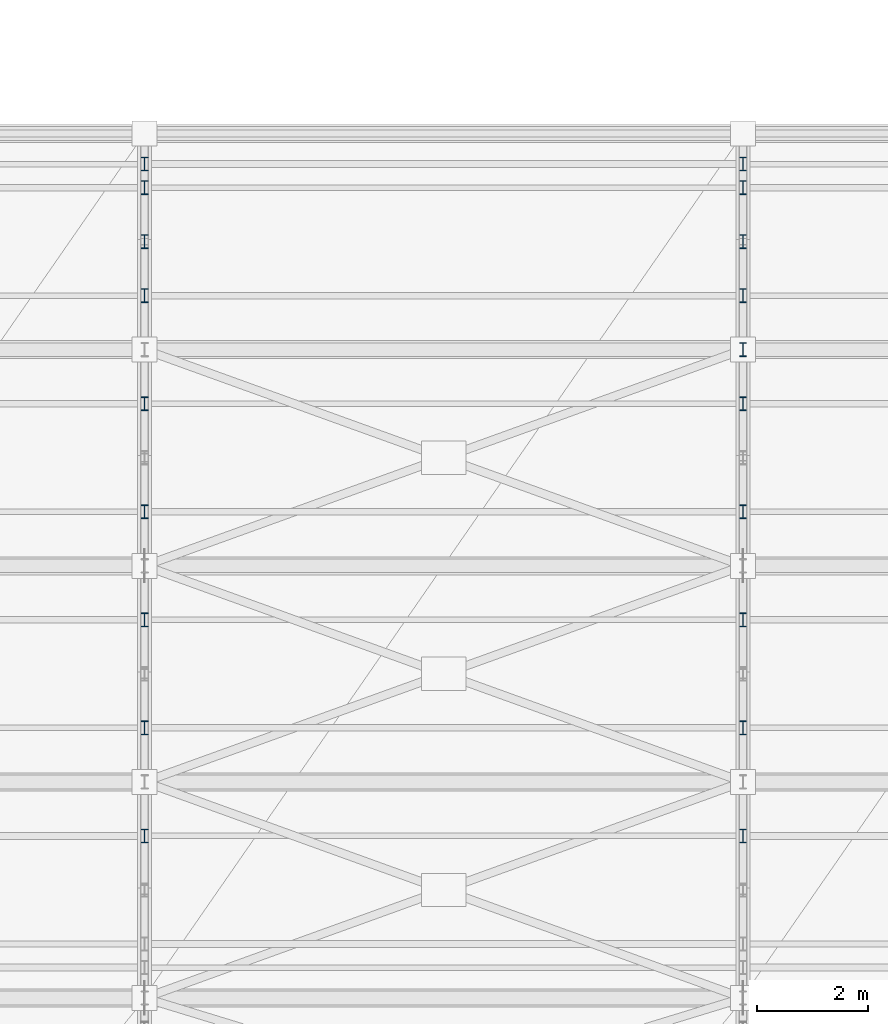
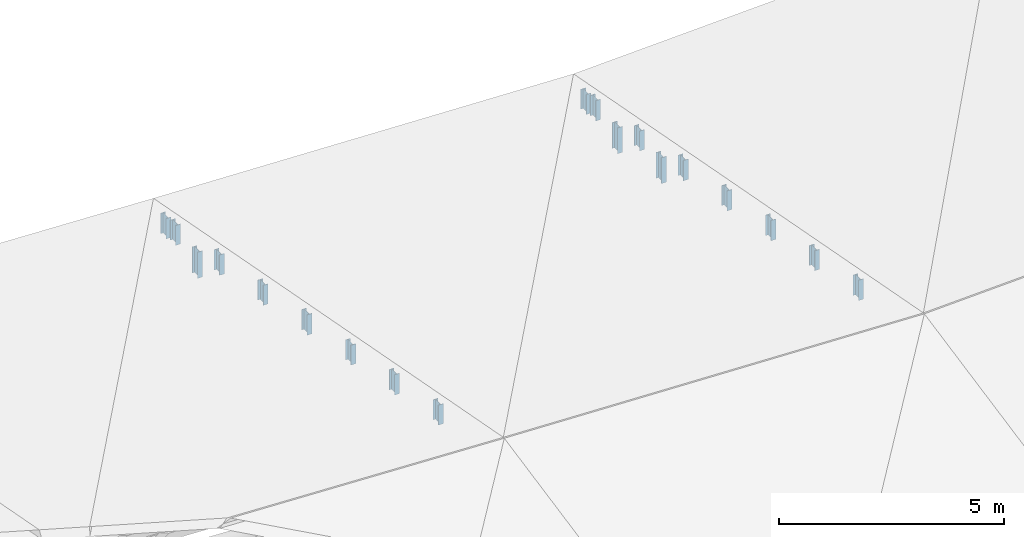
# One storey, part 50 of 89: 19 members.
"""IFC4 building model written with IfcOpenShell, lengths in metres."""

from ifc_helpers import new_model, si_unit, direction, frame, origin, origin_2d, place, context, subcontext, project, spatial, i_section, extrude, material, material_profile, profile_set, type_object, element, save


model = new_model("IFC4")

# Units and contexts
model_context = context("Model", 3, precision=1e-05, world=origin(), true_north=direction((0.0, 1.0)))
body_context = subcontext(model_context, "Body", "Model", "MODEL_VIEW")
ifc_project = project(units=[si_unit("LENGTHUNIT", "METRE"), si_unit("AREAUNIT", "SQUARE_METRE"), si_unit("VOLUMEUNIT", "CUBIC_METRE"), si_unit("PLANEANGLEUNIT", "RADIAN"), si_unit("MASSUNIT", "GRAM", prefix="KILO")], contexts=[model_context])

# Site, building, storey
site_placement = place(None, origin())
site = spatial("IfcSite", under=ifc_project, at=site_placement, CompositionType="ELEMENT")
building_placement = place(site_placement, origin())
building = spatial("IfcBuilding", under=site, at=building_placement, Name="Suirenkawa Promenade Aquatics Centre", CompositionType="ELEMENT")
storey_placement = place(building_placement, frame((0.0, 0.0, 9.60009765625)))
storey = spatial("IfcBuildingStorey", under=building, at=storey_placement, Name="L02", CompositionType="ELEMENT", Elevation=9.60009765625)

# Members
ifc_material = material(Name="Steel IS 2062 E350 (Grade 350)", Category="steel")
ifc_material_profile = material_profile(ifc_material, i_section(OverallWidth=0.125, OverallDepth=0.25, WebThickness=0.007080078125, FlangeThickness=0.012939453125, at=origin_2d()), Name="ISMB 250", Category="steel")
ifc_profile_set = profile_set([ifc_material_profile], Name="Steel IS 2062 E350 (Grade 350)")
member_type = type_object("IfcMemberType", Name="MT-WEB-CHS168", PredefinedType="BRACE", material=ifc_profile_set)
member_1_placement = place(storey_placement, frame((100.800048828125, 26.85009765625, -1.75), z_axis=(0.0, 0.0, 1.0), x_axis=(1.0, 0.0, 0.0)))
element("IfcMember", 1, at=member_1_placement, inside=storey, type_object=member_type, Name="ROOF TRUSS V3 web post TD-03 MB-1368", PredefinedType="BRACE", context=body_context, shape_type="SweptSolid", body=[
    extrude(i_section(OverallWidth=0.125, OverallDepth=0.25, WebThickness=0.007080078125, FlangeThickness=0.012939453125, at=origin_2d()), origin(), (0.0, 0.0, 1.0), 0.708984375),
])
member_2_placement = place(storey_placement, frame((111.60009765625, 24.89990234375, -1.772216796875), z_axis=(0.0, 0.0, 1.0), x_axis=(1.0, 0.0, 0.0)))
element("IfcMember", 2, at=member_2_placement, inside=storey, type_object=member_type, Name="ROOF TRUSS V3 web post TD-03 MB-1398", PredefinedType="BRACE", context=body_context, shape_type="SweptSolid", body=[
    extrude(i_section(OverallWidth=0.125, OverallDepth=0.25, WebThickness=0.007080078125, FlangeThickness=0.012939453125, at=origin_2d()), origin(), (0.0, 0.0, 1.0), 0.7001953125),
])
member_3_placement = place(storey_placement, frame((111.60009765625, 26.85009765625, -2.14111328125), z_axis=(0.0, 0.0, 1.0), x_axis=(1.0, 0.0, 0.0)))
element("IfcMember", 3, at=member_3_placement, inside=storey, type_object=member_type, Name="ROOF TRUSS V3 web post TD-03 MB-1399", PredefinedType="BRACE", context=body_context, shape_type="SweptSolid", body=[
    extrude(i_section(OverallWidth=0.125, OverallDepth=0.25, WebThickness=0.007080078125, FlangeThickness=0.012939453125, at=origin_2d()), origin(), (0.0, 0.0, 1.0), 0.699951171875),
])
member_4_placement = place(storey_placement, frame((100.800048828125, 16.125, 0.766845703125), z_axis=(0.0, 0.0, 1.0), x_axis=(1.0, 0.0, 0.0)))
element("IfcMember", 4, at=member_4_placement, inside=storey, type_object=member_type, Name="ROOF TRUSS Purlin cleat post TD-03 MB-2690", PredefinedType="BRACE", context=body_context, shape_type="SweptSolid", body=[
    extrude(i_section(OverallWidth=0.125, OverallDepth=0.25, WebThickness=0.007080078125, FlangeThickness=0.012939453125, at=origin_2d()), origin(), (0.0, 0.0, 1.0), 0.541015625),
])
member_5_placement = place(storey_placement, frame((100.800048828125, 18.074951171875, 0.39794921875), z_axis=(0.0, 0.0, 1.0), x_axis=(1.0, 0.0, 0.0)))
element("IfcMember", 5, at=member_5_placement, inside=storey, type_object=member_type, Name="ROOF TRUSS Purlin cleat post TD-03 MB-2692", PredefinedType="BRACE", context=body_context, shape_type="SweptSolid", body=[
    extrude(i_section(OverallWidth=0.125, OverallDepth=0.25, WebThickness=0.007080078125, FlangeThickness=0.012939453125, at=origin_2d()), origin(), (0.0, 0.0, 1.0), 0.552978515625),
])
member_6_placement = place(storey_placement, frame((100.800048828125, 20.02490234375, 0.02880859375), z_axis=(0.0, 0.0, 1.0), x_axis=(1.0, 0.0, 0.0)))
element("IfcMember", 6, at=member_6_placement, inside=storey, type_object=member_type, Name="ROOF TRUSS Purlin cleat post TD-03 MB-2694", PredefinedType="BRACE", context=body_context, shape_type="SweptSolid", body=[
    extrude(i_section(OverallWidth=0.125, OverallDepth=0.25, WebThickness=0.007080078125, FlangeThickness=0.012939453125, at=origin_2d()), origin(), (0.0, 0.0, 1.0), 0.5419921875),
])
member_7_placement = place(storey_placement, frame((100.800048828125, 21.97509765625, -0.339111328125), z_axis=(0.0, 0.0, 1.0), x_axis=(1.0, 0.0, 0.0)))
element("IfcMember", 7, at=member_7_placement, inside=storey, type_object=member_type, Name="ROOF TRUSS Purlin cleat post TD-03 MB-2696", PredefinedType="BRACE", context=body_context, shape_type="SweptSolid", body=[
    extrude(i_section(OverallWidth=0.125, OverallDepth=0.25, WebThickness=0.007080078125, FlangeThickness=0.012939453125, at=origin_2d()), origin(), (0.0, 0.0, 1.0), 0.552978515625),
])
member_8_placement = place(storey_placement, frame((100.800048828125, 23.925048828125, -0.7080078125), z_axis=(0.0, 0.0, 1.0), x_axis=(1.0, 0.0, 0.0)))
element("IfcMember", 8, at=member_8_placement, inside=storey, type_object=member_type, Name="ROOF TRUSS Purlin cleat post TD-03 MB-2698", PredefinedType="BRACE", context=body_context, shape_type="SweptSolid", body=[
    extrude(i_section(OverallWidth=0.125, OverallDepth=0.25, WebThickness=0.007080078125, FlangeThickness=0.012939453125, at=origin_2d()), origin(), (0.0, 0.0, 1.0), 0.541015625),
])
member_9_placement = place(storey_placement, frame((100.800048828125, 25.875, -1.0771484375), z_axis=(0.0, 0.0, 1.0), x_axis=(1.0, 0.0, 0.0)))
element("IfcMember", 9, at=member_9_placement, inside=storey, type_object=member_type, Name="ROOF TRUSS Purlin cleat post TD-03 MB-2700", PredefinedType="BRACE", context=body_context, shape_type="SweptSolid", body=[
    extrude(i_section(OverallWidth=0.125, OverallDepth=0.25, WebThickness=0.007080078125, FlangeThickness=0.012939453125, at=origin_2d()), origin(), (0.0, 0.0, 1.0), 0.552978515625),
])
member_10_placement = place(storey_placement, frame((100.800048828125, 27.824951171875, -1.446044921875), z_axis=(0.0, 0.0, 1.0), x_axis=(1.0, 0.0, 0.0)))
element("IfcMember", 10, at=member_10_placement, inside=storey, type_object=member_type, Name="ROOF TRUSS Purlin cleat post TD-03 MB-2702", PredefinedType="BRACE", context=body_context, shape_type="SweptSolid", body=[
    extrude(i_section(OverallWidth=0.125, OverallDepth=0.25, WebThickness=0.007080078125, FlangeThickness=0.012939453125, at=origin_2d()), origin(), (0.0, 0.0, 1.0), 0.5419921875),
])
for number, where, z_axis, x_axis, name in (
    (11, (100.800048828125, 28.25, -1.526123046875), (0.0, 0.0, 1.0), (1.0, 0.0, 0.0), "ROOF TRUSS Purlin cleat post TD-03 MB-2704"),
    (12, (111.60009765625, 16.125, 0.366943359375), (0.0, 0.0, 1.0), (1.0, 0.0, 0.0), "ROOF TRUSS Purlin cleat post TD-03 MB-2730"),
):
    element("IfcMember", number, at=place(storey_placement, frame(where, z_axis=z_axis, x_axis=x_axis)), inside=storey, type_object=member_type, Name=name, PredefinedType="BRACE", context=body_context, shape_type="SweptSolid", body=[
        extrude(i_section(OverallWidth=0.125, OverallDepth=0.25, WebThickness=0.007080078125, FlangeThickness=0.012939453125, at=origin_2d()), origin(), (0.0, 0.0, 1.0), 0.552978515625),
    ])
member_11_placement = place(storey_placement, frame((111.60009765625, 18.074951171875, -0.002197265625), z_axis=(0.0, 0.0, 1.0), x_axis=(1.0, 0.0, 0.0)))
element("IfcMember", 13, at=member_11_placement, inside=storey, type_object=member_type, Name="ROOF TRUSS Purlin cleat post TD-03 MB-2732", PredefinedType="BRACE", context=body_context, shape_type="SweptSolid", body=[
    extrude(i_section(OverallWidth=0.125, OverallDepth=0.25, WebThickness=0.007080078125, FlangeThickness=0.012939453125, at=origin_2d()), origin(), (0.0, 0.0, 1.0), 0.541015625),
])
member_12_placement = place(storey_placement, frame((111.60009765625, 20.02490234375, -0.37109375), z_axis=(0.0, 0.0, 1.0), x_axis=(1.0, 0.0, 0.0)))
element("IfcMember", 14, at=member_12_placement, inside=storey, type_object=member_type, Name="ROOF TRUSS Purlin cleat post TD-03 MB-2734", PredefinedType="BRACE", context=body_context, shape_type="SweptSolid", body=[
    extrude(i_section(OverallWidth=0.125, OverallDepth=0.25, WebThickness=0.007080078125, FlangeThickness=0.012939453125, at=origin_2d()), origin(), (0.0, 0.0, 1.0), 0.552978515625),
])
member_13_placement = place(storey_placement, frame((111.60009765625, 21.97509765625, -0.739013671875), z_axis=(0.0, 0.0, 1.0), x_axis=(1.0, 0.0, 0.0)))
element("IfcMember", 15, at=member_13_placement, inside=storey, type_object=member_type, Name="ROOF TRUSS Purlin cleat post TD-03 MB-2736", PredefinedType="BRACE", context=body_context, shape_type="SweptSolid", body=[
    extrude(i_section(OverallWidth=0.125, OverallDepth=0.25, WebThickness=0.007080078125, FlangeThickness=0.012939453125, at=origin_2d()), origin(), (0.0, 0.0, 1.0), 0.541015625),
])
member_14_placement = place(storey_placement, frame((111.60009765625, 23.925048828125, -1.108154296875), z_axis=(0.0, 0.0, 1.0), x_axis=(1.0, 0.0, 0.0)))
element("IfcMember", 16, at=member_14_placement, inside=storey, type_object=member_type, Name="ROOF TRUSS Purlin cleat post TD-03 MB-2738", PredefinedType="BRACE", context=body_context, shape_type="SweptSolid", body=[
    extrude(i_section(OverallWidth=0.125, OverallDepth=0.25, WebThickness=0.007080078125, FlangeThickness=0.012939453125, at=origin_2d()), origin(), (0.0, 0.0, 1.0), 0.552978515625),
])
member_15_placement = place(storey_placement, frame((111.60009765625, 25.875, -1.47705078125), z_axis=(0.0, 0.0, 1.0), x_axis=(1.0, 0.0, 0.0)))
element("IfcMember", 17, at=member_15_placement, inside=storey, type_object=member_type, Name="ROOF TRUSS Purlin cleat post TD-03 MB-2740", PredefinedType="BRACE", context=body_context, shape_type="SweptSolid", body=[
    extrude(i_section(OverallWidth=0.125, OverallDepth=0.25, WebThickness=0.007080078125, FlangeThickness=0.012939453125, at=origin_2d()), origin(), (0.0, 0.0, 1.0), 0.541015625),
])
member_16_placement = place(storey_placement, frame((111.60009765625, 27.824951171875, -1.84619140625), z_axis=(0.0, 0.0, 1.0), x_axis=(1.0, 0.0, 0.0)))
element("IfcMember", 18, at=member_16_placement, inside=storey, type_object=member_type, Name="ROOF TRUSS Purlin cleat post TD-03 MB-2742", PredefinedType="BRACE", context=body_context, shape_type="SweptSolid", body=[
    extrude(i_section(OverallWidth=0.125, OverallDepth=0.25, WebThickness=0.007080078125, FlangeThickness=0.012939453125, at=origin_2d()), origin(), (0.0, 0.0, 1.0), 0.552978515625),
])
member_17_placement = place(storey_placement, frame((111.60009765625, 28.25, -1.926025390625), z_axis=(0.0, 0.0, 1.0), x_axis=(1.0, 0.0, 0.0)))
element("IfcMember", 19, at=member_17_placement, inside=storey, type_object=member_type, Name="ROOF TRUSS Purlin cleat post TD-03 MB-2744", PredefinedType="BRACE", context=body_context, shape_type="SweptSolid", body=[
    extrude(i_section(OverallWidth=0.125, OverallDepth=0.25, WebThickness=0.007080078125, FlangeThickness=0.012939453125, at=origin_2d()), origin(), (0.0, 0.0, 1.0), 0.541015625),
])

save(model, "model.ifc")
